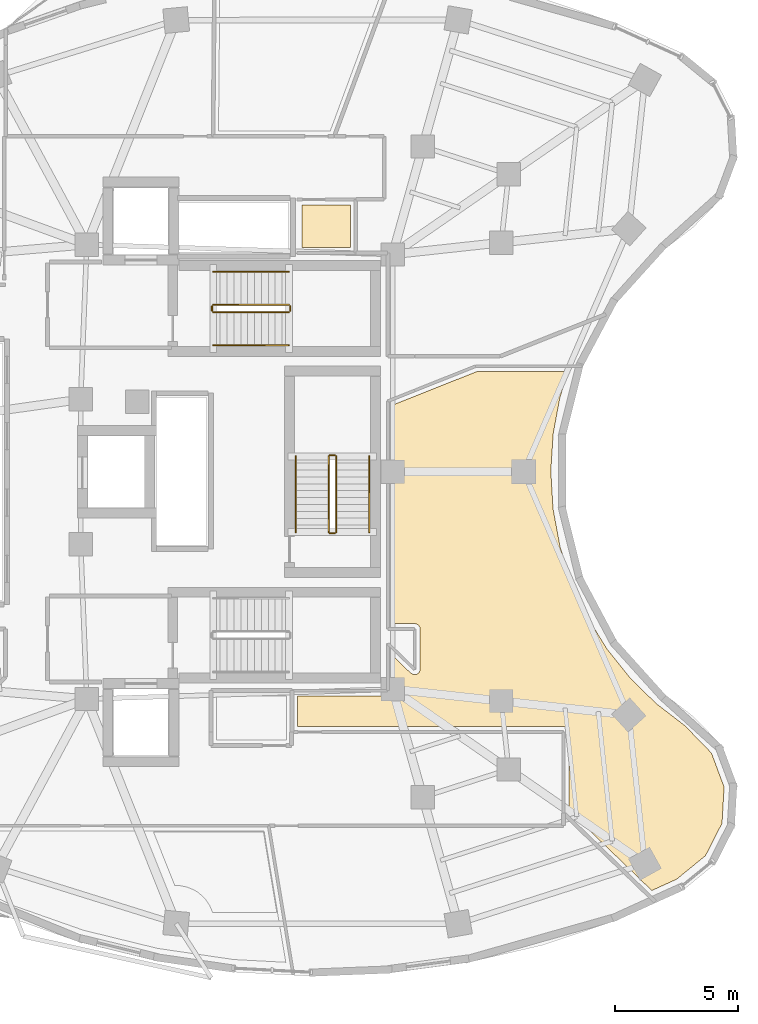
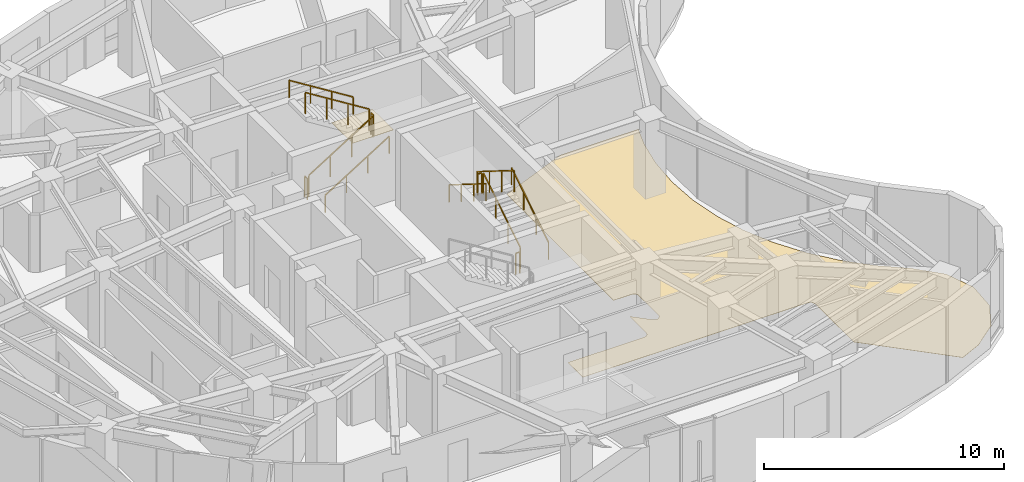
# One storey, part 12 of 13: 12 railings, 2 coverings.
"""IFC4 building model written with IfcOpenShell, lengths in metres."""

from ifc_helpers import new_model, si_unit, direction, frame, origin, origin_2d, place, context, subcontext, project, spatial, polyline, rectangle, outline, extrude, material, layer, layer_set, type_object, element, save


model = new_model("IFC4")

# Units and contexts
model_context = context("Model", 3, precision=1e-05, world=origin(), true_north=direction((0.0, 1.0)))
body_context = subcontext(model_context, "Body", "Model", "MODEL_VIEW")
ifc_project = project(units=[si_unit("LENGTHUNIT", "METRE"), si_unit("AREAUNIT", "SQUARE_METRE"), si_unit("VOLUMEUNIT", "CUBIC_METRE"), si_unit("PLANEANGLEUNIT", "RADIAN"), si_unit("MASSUNIT", "GRAM", prefix="KILO")], contexts=[model_context])

# Site, building, storey
site_placement = place(None, origin())
site = spatial("IfcSite", under=ifc_project, at=site_placement, CompositionType="ELEMENT")
building_placement = place(site_placement, origin())
building = spatial("IfcBuilding", under=site, at=building_placement, Name="Korentha Bioscience Tower", CompositionType="ELEMENT")
storey_placement = place(building_placement, frame((0.0, 0.0, 187.800048828125)))
storey = spatial("IfcBuildingStorey", under=building, at=storey_placement, Name="L43", CompositionType="ELEMENT", Elevation=187.800048828125)

# Covering
ifc_material_1 = material(Name="Vitrified Porcelain Tile", Category="ceramic")
ifc_layer_1 = layer(ifc_material_1, 0.014892578125, Name="Vitrified Porcelain Tile")
ifc_layer_set_1 = layer_set([ifc_layer_1], Name="Vitrified Porcelain Tile (FL-CER)")
covering_type_1 = type_object("IfcCoveringType", Name="Anti-Slip Ceramic Wet-Room Tile Flooring 15", PredefinedType="FLOORING", material=ifc_layer_set_1)
covering_1_placement = place(storey_placement, origin())
element("IfcCovering", 1, at=covering_1_placement, inside=storey, type_object=covering_type_1, Name="L43 Accessible Staff WC Floor Finish", PredefinedType="FLOORING", context=body_context, shape_type="SweptSolid", body=[
    extrude(outline(polyline([(33.8701171875, 36.1298828125), (33.8701171875, 37.8701171875), (35.830078125, 37.8701171875), (35.830078125, 36.1298828125), (33.8701171875, 36.1298828125)])), origin(), (0.0, 0.0, 1.0), 0.014892578125),
])

# Railings
ifc_material_2 = material(Name="Stainless Steel 304", Category="steel")
railing_type_1 = type_object("IfcRailingType", Name="Brushed Stainless Stair Handrail 900", PredefinedType="HANDRAIL", material=ifc_material_2)
railing_1_placement = place(storey_placement, frame((30.25, 32.14990234375, 0.175048828125)))
element("IfcRailing", 2, at=railing_1_placement, inside=storey, type_object=railing_type_1, Name="L43 ST-1 stair handrail 1", PredefinedType="HANDRAIL", context=body_context, shape_type="SweptSolid", body=[
    extrude(rectangle(XDim=0.048095703125, YDim=0.048095703125, at=origin_2d()), frame((0.0, 0.0, 0.8759765625), z_axis=(0.848028513186, 0.0, 0.529950602248), x_axis=(0.0, 1.0, 0.0)), (0.0, 0.0, 1.0), 3.632080078125),
    extrude(rectangle(XDim=0.0419921875, YDim=0.0419921875, at=origin_2d()), origin(), (0.0, 0.0, 1.0), 0.851806640625),
    extrude(rectangle(XDim=0.0419921875, YDim=0.0419921875, at=origin_2d()), frame((1.026611328125, 0.0, 0.6416015625)), (0.0, 0.0, 1.0), 0.851806640625),
    extrude(rectangle(XDim=0.0419921875, YDim=0.0419921875, at=origin_2d()), frame((2.053466796875, 0.0, 1.283203125)), (0.0, 0.0, 1.0), 0.851806640625),
    extrude(rectangle(XDim=0.0419921875, YDim=0.0419921875, at=origin_2d()), frame((3.080078125, 0.0, 1.9248046875)), (0.0, 0.0, 1.0), 0.851806640625),
])
railing_2_placement = place(storey_placement, frame((33.330078125, 35.14990234375, 2.27490234375)))
element("IfcRailing", 3, at=railing_2_placement, inside=storey, type_object=railing_type_1, Name="L43 ST-1 stair handrail 2", PredefinedType="HANDRAIL", context=body_context, shape_type="SweptSolid", body=[
    extrude(rectangle(XDim=0.048095703125, YDim=0.048095703125, at=origin_2d()), frame((0.0, 0.0, 0.8759765625), z_axis=(-0.847998304005, 0.0, 0.529998940003), x_axis=(0.0, -1.0, 0.0)), (0.0, 0.0, 1.0), 3.632080078125),
    extrude(rectangle(XDim=0.0419921875, YDim=0.0419921875, at=origin_2d()), origin(), (0.0, 0.0, 1.0), 0.851806640625),
    extrude(rectangle(XDim=0.0419921875, YDim=0.0419921875, at=origin_2d()), frame((-1.026611328125, 0.0, 0.6416015625)), (0.0, 0.0, 1.0), 0.851806640625),
    extrude(rectangle(XDim=0.0419921875, YDim=0.0419921875, at=origin_2d()), frame((-2.053466796875, 0.0, 1.283447265625)), (0.0, 0.0, 1.0), 0.851806640625),
    extrude(rectangle(XDim=0.0419921875, YDim=0.0419921875, at=origin_2d()), frame((-3.080078125, 0.0, 1.925048828125)), (0.0, 0.0, 1.0), 0.851806640625),
])
railing_3_placement = place(storey_placement, frame((36.60009765625, 24.550048828125, 0.175048828125)))
element("IfcRailing", 4, at=railing_3_placement, inside=storey, type_object=railing_type_1, Name="L43 ST-3 stair handrail 1", PredefinedType="HANDRAIL", context=body_context, shape_type="SweptSolid", body=[
    extrude(rectangle(XDim=0.048095703125, YDim=0.048095703125, at=origin_2d()), frame((0.0, 0.0, 0.8759765625), z_axis=(0.0, 0.848009633417, 0.529980812513), x_axis=(-1.0, 0.0, 0.0)), (0.0, 0.0, 1.0), 3.6318359375),
    extrude(rectangle(XDim=0.0419921875, YDim=0.0419921875, at=origin_2d()), origin(), (0.0, 0.0, 1.0), 0.851806640625),
    extrude(rectangle(XDim=0.0419921875, YDim=0.0419921875, at=origin_2d()), frame((0.0, 1.026611328125, 0.6416015625)), (0.0, 0.0, 1.0), 0.851806640625),
    extrude(rectangle(XDim=0.0419921875, YDim=0.0419921875, at=origin_2d()), frame((0.0, 2.05322265625, 1.283203125)), (0.0, 0.0, 1.0), 0.851806640625),
    extrude(rectangle(XDim=0.0419921875, YDim=0.0419921875, at=origin_2d()), frame((0.0, 3.079833984375, 1.9248046875)), (0.0, 0.0, 1.0), 0.851806640625),
])
railing_4_placement = place(storey_placement, frame((33.60009765625, 27.6298828125, 2.27490234375)))
element("IfcRailing", 5, at=railing_4_placement, inside=storey, type_object=railing_type_1, Name="L43 ST-3 stair handrail 2", PredefinedType="HANDRAIL", context=body_context, shape_type="SweptSolid", body=[
    extrude(rectangle(XDim=0.048095703125, YDim=0.048095703125, at=origin_2d()), frame((0.0, 0.0, 0.8759765625), z_axis=(0.0, -0.847979421464, 0.530029150871), x_axis=(1.0, 0.0, 0.0)), (0.0, 0.0, 1.0), 3.632080078125),
    extrude(rectangle(XDim=0.0419921875, YDim=0.0419921875, at=origin_2d()), origin(), (0.0, 0.0, 1.0), 0.851806640625),
    extrude(rectangle(XDim=0.0419921875, YDim=0.0419921875, at=origin_2d()), frame((0.0, -1.026611328125, 0.6416015625)), (0.0, 0.0, 1.0), 0.851806640625),
    extrude(rectangle(XDim=0.0419921875, YDim=0.0419921875, at=origin_2d()), frame((0.0, -2.05322265625, 1.283447265625)), (0.0, 0.0, 1.0), 0.851806640625),
    extrude(rectangle(XDim=0.0419921875, YDim=0.0419921875, at=origin_2d()), frame((0.0, -3.079833984375, 1.925048828125)), (0.0, 0.0, 1.0), 0.851806640625),
])
ifc_material_3 = material(Name="Painted Steel S275", Category="steel")
railing_type_2 = type_object("IfcRailingType", Name="Painted Steel Stair Well Guardrail 1100", PredefinedType="GUARDRAIL", material=ifc_material_3)
railing_5_placement = place(storey_placement, frame((30.25, 33.5, 0.175048828125)))
element("IfcRailing", 6, at=railing_5_placement, inside=storey, type_object=railing_type_2, Name="L43 ST-1 stair guard 1", PredefinedType="GUARDRAIL", context=body_context, shape_type="SweptSolid", body=[
    extrude(rectangle(XDim=0.048095703125, YDim=0.048095703125, at=origin_2d()), frame((0.0, 0.0, 1.076171875), z_axis=(0.848028513186, 0.0, 0.529950602248), x_axis=(0.0, 1.0, 0.0)), (0.0, 0.0, 1.0), 3.632080078125),
    extrude(rectangle(XDim=0.0419921875, YDim=0.0419921875, at=origin_2d()), origin(), (0.0, 0.0, 1.0), 1.052001953125),
    extrude(rectangle(XDim=0.0419921875, YDim=0.0419921875, at=origin_2d()), frame((1.026611328125, 0.0, 0.6416015625)), (0.0, 0.0, 1.0), 1.052001953125),
    extrude(rectangle(XDim=0.0419921875, YDim=0.0419921875, at=origin_2d()), frame((2.053466796875, 0.0, 1.283203125)), (0.0, 0.0, 1.0), 1.052001953125),
    extrude(rectangle(XDim=0.0419921875, YDim=0.0419921875, at=origin_2d()), frame((3.080078125, 0.0, 1.9248046875)), (0.0, 0.0, 1.0), 1.052001953125),
])
railing_6_placement = place(storey_placement, frame((33.3798828125, 33.550048828125, 2.099853515625)))
element("IfcRailing", 7, at=railing_6_placement, inside=storey, type_object=railing_type_2, Name="L43 ST-1 stair guard 2", PredefinedType="GUARDRAIL", context=body_context, shape_type="SweptSolid", body=[
    extrude(rectangle(XDim=0.048095703125, YDim=0.048095703125, at=origin_2d()), frame((0.0, 0.0, 1.076171875), z_axis=(0.0, 1.0, 0.0), x_axis=(-1.0, 0.0, 0.0)), (0.0, 0.0, 1.0), 0.199951171875),
    extrude(rectangle(XDim=0.0419921875, YDim=0.0419921875, at=origin_2d()), origin(), (0.0, 0.0, 1.0), 1.052001953125),
    extrude(rectangle(XDim=0.0419921875, YDim=0.0419921875, at=origin_2d()), frame((0.0, 0.199951171875, 0.0)), (0.0, 0.0, 1.0), 1.052001953125),
])
railing_7_placement = place(storey_placement, frame((33.330078125, 33.800048828125, 2.27490234375)))
element("IfcRailing", 8, at=railing_7_placement, inside=storey, type_object=railing_type_2, Name="L43 ST-1 stair guard 3", PredefinedType="GUARDRAIL", context=body_context, shape_type="SweptSolid", body=[
    extrude(rectangle(XDim=0.048095703125, YDim=0.048095703125, at=origin_2d()), frame((0.0, 0.0, 1.076171875), z_axis=(-0.847998304005, 0.0, 0.529998940003), x_axis=(0.0, -1.0, 0.0)), (0.0, 0.0, 1.0), 3.632080078125),
    extrude(rectangle(XDim=0.0419921875, YDim=0.0419921875, at=origin_2d()), origin(), (0.0, 0.0, 1.0), 1.052001953125),
    extrude(rectangle(XDim=0.0419921875, YDim=0.0419921875, at=origin_2d()), frame((-1.026611328125, 0.0, 0.6416015625)), (0.0, 0.0, 1.0), 1.052001953125),
    extrude(rectangle(XDim=0.0419921875, YDim=0.0419921875, at=origin_2d()), frame((-2.053466796875, 0.0, 1.283447265625)), (0.0, 0.0, 1.0), 1.052001953125),
    extrude(rectangle(XDim=0.0419921875, YDim=0.0419921875, at=origin_2d()), frame((-3.080078125, 0.0, 1.925048828125)), (0.0, 0.0, 1.0), 1.052001953125),
])
railing_8_placement = place(storey_placement, frame((30.199951171875, 33.550048828125, 0.0)))
element("IfcRailing", 9, at=railing_8_placement, inside=storey, type_object=railing_type_2, Name="L43 ST-1 stair guard 4", PredefinedType="GUARDRAIL", context=body_context, shape_type="SweptSolid", body=[
    extrude(rectangle(XDim=0.048095703125, YDim=0.048095703125, at=origin_2d()), frame((0.0, 0.0, 1.076171875), z_axis=(0.0, 1.0, 0.0), x_axis=(-1.0, 0.0, 0.0)), (0.0, 0.0, 1.0), 0.199951171875),
    extrude(rectangle(XDim=0.0419921875, YDim=0.0419921875, at=origin_2d()), origin(), (0.0, 0.0, 1.0), 1.052001953125),
    extrude(rectangle(XDim=0.0419921875, YDim=0.0419921875, at=origin_2d()), frame((0.0, 0.199951171875, 0.0)), (0.0, 0.0, 1.0), 1.052001953125),
])
railing_9_placement = place(storey_placement, frame((35.25, 24.550048828125, 0.175048828125)))
element("IfcRailing", 10, at=railing_9_placement, inside=storey, type_object=railing_type_2, Name="L43 ST-3 stair guard 1", PredefinedType="GUARDRAIL", context=body_context, shape_type="SweptSolid", body=[
    extrude(rectangle(XDim=0.048095703125, YDim=0.048095703125, at=origin_2d()), frame((0.0, 0.0, 1.076171875), z_axis=(0.0, 0.848009633417, 0.529980812513), x_axis=(-1.0, 0.0, 0.0)), (0.0, 0.0, 1.0), 3.6318359375),
    extrude(rectangle(XDim=0.0419921875, YDim=0.0419921875, at=origin_2d()), origin(), (0.0, 0.0, 1.0), 1.052001953125),
    extrude(rectangle(XDim=0.0419921875, YDim=0.0419921875, at=origin_2d()), frame((0.0, 1.026611328125, 0.6416015625)), (0.0, 0.0, 1.0), 1.052001953125),
    extrude(rectangle(XDim=0.0419921875, YDim=0.0419921875, at=origin_2d()), frame((0.0, 2.05322265625, 1.283203125)), (0.0, 0.0, 1.0), 1.052001953125),
    extrude(rectangle(XDim=0.0419921875, YDim=0.0419921875, at=origin_2d()), frame((0.0, 3.079833984375, 1.9248046875)), (0.0, 0.0, 1.0), 1.052001953125),
])
railing_10_placement = place(storey_placement, frame((35.199951171875, 27.679931640625, 2.099853515625)))
element("IfcRailing", 11, at=railing_10_placement, inside=storey, type_object=railing_type_2, Name="L43 ST-3 stair guard 2", PredefinedType="GUARDRAIL", context=body_context, shape_type="SweptSolid", body=[
    extrude(rectangle(XDim=0.048095703125, YDim=0.048095703125, at=origin_2d()), frame((0.0, 0.0, 1.076171875), z_axis=(-1.0, 0.0, 0.0), x_axis=(0.0, -1.0, 0.0)), (0.0, 0.0, 1.0), 0.199951171875),
    extrude(rectangle(XDim=0.0419921875, YDim=0.0419921875, at=origin_2d()), origin(), (0.0, 0.0, 1.0), 1.052001953125),
    extrude(rectangle(XDim=0.0419921875, YDim=0.0419921875, at=origin_2d()), frame((-0.199951171875, 0.0, 0.0)), (0.0, 0.0, 1.0), 1.052001953125),
])
railing_11_placement = place(storey_placement, frame((34.949951171875, 27.6298828125, 2.27490234375)))
element("IfcRailing", 12, at=railing_11_placement, inside=storey, type_object=railing_type_2, Name="L43 ST-3 stair guard 3", PredefinedType="GUARDRAIL", context=body_context, shape_type="SweptSolid", body=[
    extrude(rectangle(XDim=0.048095703125, YDim=0.048095703125, at=origin_2d()), frame((0.0, 0.0, 1.076171875), z_axis=(0.0, -0.847979421464, 0.530029150871), x_axis=(1.0, 0.0, 0.0)), (0.0, 0.0, 1.0), 3.632080078125),
    extrude(rectangle(XDim=0.0419921875, YDim=0.0419921875, at=origin_2d()), origin(), (0.0, 0.0, 1.0), 1.052001953125),
    extrude(rectangle(XDim=0.0419921875, YDim=0.0419921875, at=origin_2d()), frame((0.0, -1.026611328125, 0.6416015625)), (0.0, 0.0, 1.0), 1.052001953125),
    extrude(rectangle(XDim=0.0419921875, YDim=0.0419921875, at=origin_2d()), frame((0.0, -2.05322265625, 1.283447265625)), (0.0, 0.0, 1.0), 1.052001953125),
    extrude(rectangle(XDim=0.0419921875, YDim=0.0419921875, at=origin_2d()), frame((0.0, -3.079833984375, 1.925048828125)), (0.0, 0.0, 1.0), 1.052001953125),
])
railing_12_placement = place(storey_placement, frame((35.199951171875, 24.5, 0.0)))
element("IfcRailing", 13, at=railing_12_placement, inside=storey, type_object=railing_type_2, Name="L43 ST-3 stair guard 4", PredefinedType="GUARDRAIL", context=body_context, shape_type="SweptSolid", body=[
    extrude(rectangle(XDim=0.048095703125, YDim=0.048095703125, at=origin_2d()), frame((0.0, 0.0, 1.076171875), z_axis=(-1.0, 0.0, 0.0), x_axis=(0.0, -1.0, 0.0)), (0.0, 0.0, 1.0), 0.199951171875),
    extrude(rectangle(XDim=0.0419921875, YDim=0.0419921875, at=origin_2d()), origin(), (0.0, 0.0, 1.0), 1.052001953125),
    extrude(rectangle(XDim=0.0419921875, YDim=0.0419921875, at=origin_2d()), frame((-0.199951171875, 0.0, 0.0)), (0.0, 0.0, 1.0), 1.052001953125),
])

# Covering
ifc_material_4 = material(Name="Chemical-Resistant Epoxy Resin", Category="polymer")
ifc_layer_2 = layer(ifc_material_4, 0.011962890625, Name="Chemical-Resistant Epoxy Resin")
ifc_layer_set_2 = layer_set([ifc_layer_2], Name="Chemical-Resistant Epoxy Resin (FL-EPX)")
covering_type_2 = type_object("IfcCoveringType", Name="Seamless Epoxy Laboratory Flooring 12", PredefinedType="FLOORING", material=ifc_layer_set_2)
covering_2_placement = place(storey_placement, origin())
element("IfcCovering", 14, at=covering_2_placement, inside=storey, type_object=covering_type_2, Name="L43 Postdoctoral Fellows' Quiet Study 05 Floor Finish", PredefinedType="FLOORING", context=body_context, shape_type="SweptSolid", body=[
    extrude(outline(polyline([(38.296142578125, 18.796142578125), (38.406982421875, 18.74072265625), (38.51513671875, 18.747314453125), (38.62158203125, 18.819580078125), (38.667724609375, 18.917724609375), (38.66162109375, 20.66552734375), (38.590087890625, 20.77099609375), (38.472412109375, 20.82080078125), (37.580078125, 20.822021484375), (37.580078125, 29.7294921875), (40.96826171875, 31.077880859375), (44.6904296875, 31.077880859375), (44.356689453125, 30.009765625), (44.08642578125, 28.55322265625), (43.98974609375, 27.02783203125), (44.08056640625, 25.49169921875), (44.367431640625, 23.947265625), (44.814697265625, 22.5302734375), (45.440673828125, 21.150390625), (46.266357421875, 19.801513671875), (47.224853515625, 18.60205078125), (48.28173828125, 17.564208984375), (49.4521484375, 16.662841796875), (50.52978515625, 15.55224609375), (51.04541015625, 14.167724609375), (50.96044921875, 12.692626953125), (50.289306640625, 11.376220703125), (49.114013671875, 10.415283203125), (48.099365234375, 9.954833984375), (44.73681640625, 13.2021484375), (44.729736328125, 16.410888671875), (44.684326171875, 16.537353515625), (44.576904296875, 16.61669921875), (44.5, 16.6298828125), (33.679931640625, 16.6298828125), (33.679931640625, 17.8701171875), (37.35009765625, 17.8701171875), (37.447998046875, 17.891845703125), (37.534912109375, 17.96337890625), (37.57958984375, 18.088134765625), (37.580078125, 19.48779296875), (38.296142578125, 18.796142578125)])), origin(), (0.0, 0.0, 1.0), 0.011962890625),
])

save(model, "model.ifc")
